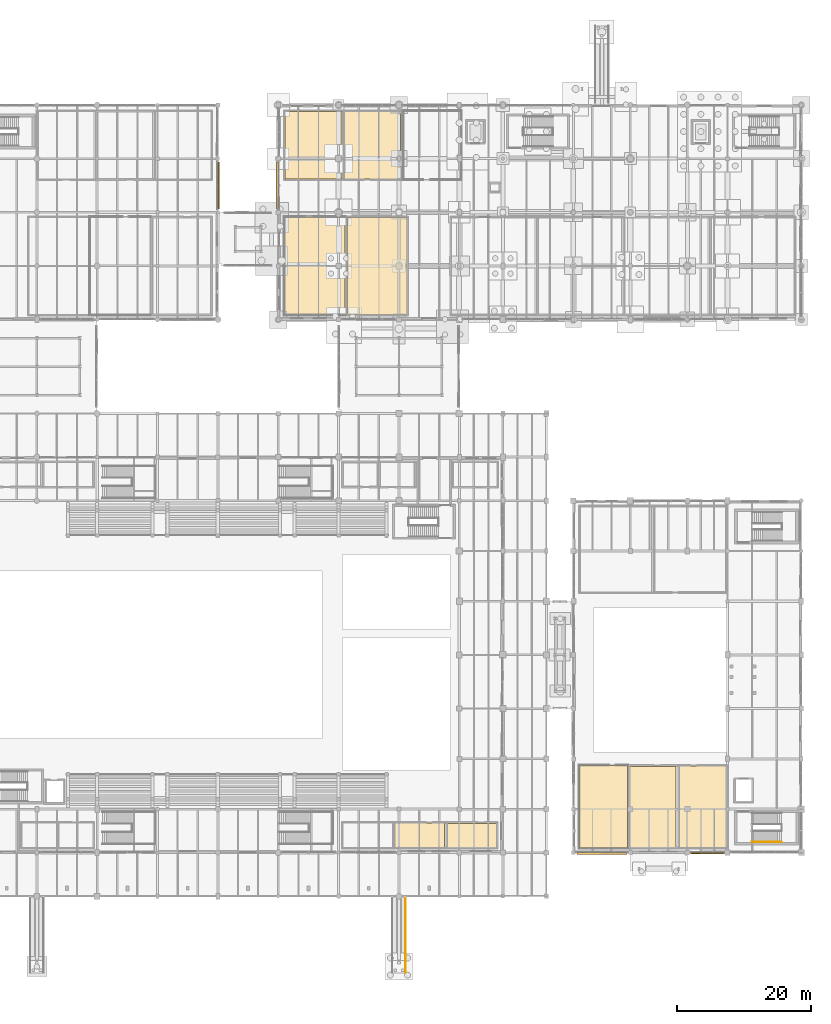
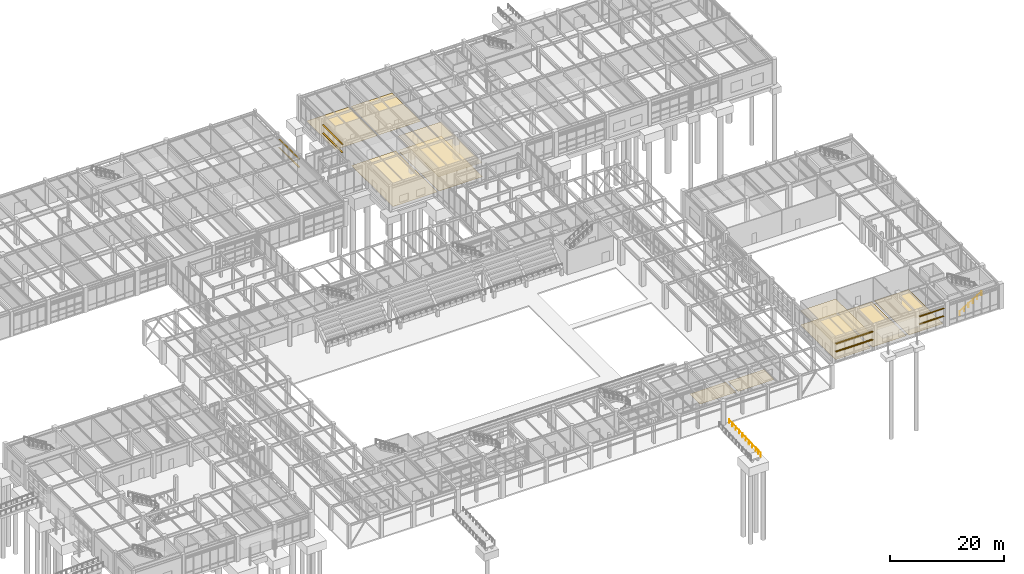
# One storey, part 199 of 203: 11 coverings, 8 shading devices, 2 railings.
"""IFC4 building model written with IfcOpenShell, lengths in metres."""

import ifcopenshell
import ifcopenshell.guid

model = None  # the IFC model being written
_history = None  # IfcOwnerHistory: only IFC2X3 demands one
_inside = {}  # id of a spatial element -> (the spatial element, [elements in it])
_under = {}  # id of a project, library or spatial element -> (it, [spatial elements below it])
_declared = {}  # id of a project -> (the project, [libraries it declares])
_typed = {}  # id of a type object -> (the type object, [elements of that type])
_made_of = {}  # id of a material, layer set ... -> (it, [elements and type objects made of it])


def new_model(schema):
    """Start an empty IFC model of exactly this schema.

    Asked for "IFC4X3", IfcOpenShell would pick the latest addendum, in which some entities
    have other attributes; the version numbers below select the first issue.
    IFC2X3 requires an IfcOwnerHistory on every rooted entity: one is made here for all.
    """
    global model, _history
    if schema == "IFC4X3":
        model = ifcopenshell.file(schema_version=(4, 3, 0, 0))
    else:
        model = ifcopenshell.file(schema=schema)
    _inside.clear()
    _under.clear()
    _declared.clear()
    _typed.clear()
    _made_of.clear()
    _history = None
    if model.schema == "IFC2X3":
        org = make("IfcOrganization", Name="unknown")
        user = make(
            "IfcPersonAndOrganization",
            ThePerson=make("IfcPerson", FamilyName="unknown"),
            TheOrganization=org,
        )
        app = make(
            "IfcApplication",
            ApplicationDeveloper=org,
            Version="unknown",
            ApplicationFullName="unknown",
            ApplicationIdentifier="unknown",
        )
        _history = make(
            "IfcOwnerHistory",
            OwningUser=user,
            OwningApplication=app,
            ChangeAction="ADDED",
            CreationDate=0,
        )
    return model


def make(cls, **values):
    """One entity of the class cls with the attributes given. An attribute that is None is left unset."""
    return model.create_entity(
        cls, **{name: value for name, value in values.items() if value is not None}
    )


def rooted(cls, **values):
    """An entity with a GlobalId (a new one), such as an element, a storey or a relation."""
    return make(cls, GlobalId=ifcopenshell.guid.new(), OwnerHistory=_history, **values)


def si_unit(unit_type, name, prefix=None):
    """IfcSIUnit, for example si_unit("LENGTHUNIT", "METRE", prefix="MILLI")."""
    return make("IfcSIUnit", UnitType=unit_type, Prefix=prefix, Name=name)


def assignment(units):
    """IfcUnitAssignment: the units of a project."""
    return None if units is None else make("IfcUnitAssignment", Units=units)


def point(xyz):
    """IfcCartesianPoint."""
    return None if xyz is None else make("IfcCartesianPoint", Coordinates=xyz)


def direction(xyz):
    """IfcDirection."""
    return None if xyz is None else make("IfcDirection", DirectionRatios=xyz)


def frame(location, z_axis=None, x_axis=None):
    """IfcAxis2Placement3D, a coordinate frame: its origin and axes. An axis left out is left unset."""
    return make(
        "IfcAxis2Placement3D",
        Location=point(location),
        Axis=direction(z_axis),
        RefDirection=direction(x_axis),
    )


def frame_2d(location, x_axis=None):
    """IfcAxis2Placement2D, a coordinate frame in the plane: its origin and x axis."""
    return make(
        "IfcAxis2Placement2D", Location=point(location), RefDirection=direction(x_axis)
    )


def origin():
    """The frame at (0, 0, 0) with its axes left unset."""
    return frame((0.0, 0.0, 0.0))


def origin_2d():
    """The frame at (0, 0) in the plane with its x axis left unset."""
    return frame_2d((0.0, 0.0))


def place(relative_to, where):
    """IfcLocalPlacement: puts the frame where relative to a parent placement (None: the world)."""
    return make(
        "IfcLocalPlacement", PlacementRelTo=relative_to, RelativePlacement=where
    )


def context(
    kind, dimensions, precision=None, world=None, true_north=None, identifier=None
):
    """IfcGeometricRepresentationContext, for example the 3D "Model" context."""
    return make(
        "IfcGeometricRepresentationContext",
        ContextIdentifier=identifier,
        ContextType=kind,
        CoordinateSpaceDimension=dimensions,
        Precision=precision,
        WorldCoordinateSystem=world,
        TrueNorth=true_north,
    )


def subcontext(parent, identifier, kind, view, scale=None):
    """IfcGeometricRepresentationSubContext, for example "Body" below "Model"."""
    return make(
        "IfcGeometricRepresentationSubContext",
        ContextIdentifier=identifier,
        ContextType=kind,
        ParentContext=parent,
        TargetScale=scale,
        TargetView=view,
    )


def project(units=None, contexts=None):
    """IfcProject with its units and contexts."""
    return rooted(
        "IfcProject",
        Name="project",
        RepresentationContexts=contexts,
        UnitsInContext=assignment(units),
    )


def spatial(cls, under=None, at=None, **own):
    """A site, building, storey or space (cls), placed at a placement, below another one or the project."""
    s = rooted(cls, ObjectPlacement=at, **own)
    if under is not None:
        _under.setdefault(under.id(), (under, []))[1].append(s)
    return s


def polyline(points):
    """IfcPolyline through the points."""
    return make("IfcPolyline", Points=[point(p) for p in points])


def profile(cls, at=None, kind="AREA", **sizes):
    """A parametric profile (cls). Its sizes go by their IFC names, for example OverallWidth=200.0."""
    return make(cls, ProfileType=kind, Position=at, **sizes)


def rectangle(**sizes):
    """IfcRectangleProfileDef."""
    return profile("IfcRectangleProfileDef", **sizes)


def circle(**sizes):
    """IfcCircleProfileDef."""
    return profile("IfcCircleProfileDef", **sizes)


def outline(outer, holes=None, kind="AREA"):
    """IfcArbitraryClosedProfileDef: a profile drawn as a closed curve; with holes, ...WithVoids."""
    if holes is None:
        return make("IfcArbitraryClosedProfileDef", ProfileType=kind, OuterCurve=outer)
    return make(
        "IfcArbitraryProfileDefWithVoids",
        ProfileType=kind,
        OuterCurve=outer,
        InnerCurves=holes,
    )


def extrude(swept, where, along, depth):
    """IfcExtrudedAreaSolid: the profile swept, set in the frame where, extruded along a direction by depth."""
    return make(
        "IfcExtrudedAreaSolid",
        SweptArea=swept,
        Position=where,
        ExtrudedDirection=direction(along),
        Depth=depth,
    )


def shape(context_of_items, identifier, shape_type, items):
    """IfcShapeRepresentation: the items that make up one representation, for example the "Body"."""
    return make(
        "IfcShapeRepresentation",
        ContextOfItems=context_of_items,
        RepresentationIdentifier=identifier,
        RepresentationType=shape_type,
        Items=items,
    )


def material(Name=None, Category=None):
    """IfcMaterial."""
    return make("IfcMaterial", Name=Name, Category=Category)


def layer(
    of_material, thickness, ventilated=None, Name=None, Category=None, Priority=None
):
    """IfcMaterialLayer: one layer of a wall or slab, of a material (None: an air gap)."""
    return make(
        "IfcMaterialLayer",
        Material=of_material,
        LayerThickness=thickness,
        IsVentilated=ventilated,
        Name=Name,
        Category=Category,
        Priority=Priority,
    )


def layer_set(layers, Name=None):
    """IfcMaterialLayerSet."""
    return make("IfcMaterialLayerSet", MaterialLayers=layers, LayerSetName=Name)


def made_of(thing, what):
    """Note that an element or type object is made of a material, layer set ...; save() writes the relation."""
    if what is not None:
        _made_of.setdefault(what.id(), (what, []))[1].append(thing)
    return thing


def type_object(cls, material=None, **own):
    """A type object (cls), such as IfcWallType, which elements share."""
    return made_of(rooted(cls, **own), material)


def element(
    cls,
    number,
    at=None,
    inside=None,
    cuts=None,
    type_object=None,
    material=None,
    context=None,
    identifier="Body",
    shape_type=None,
    held_by="IfcProductDefinitionShape",
    body=None,
    shapes=None,
    **own,
):
    """One element of the class cls, such as IfcWall. Its Tag is "e" and its number.

    at: its placement. inside: the storey or other place that contains it. cuts: it is an
    opening in that element (IfcRelVoidsElement). A single representation is given by context,
    identifier, shape_type and body (its items); several are given by shapes. held_by: the class
    of the entity that holds the representations. save() writes the other relations.
    """
    e = rooted(cls, Tag="e%d" % number, ObjectPlacement=at, **own)
    if body is not None:
        shapes = [shape(context, identifier, shape_type, body)]
    if shapes is not None:
        e.Representation = make(held_by, Representations=shapes)
    if inside is not None:
        _inside.setdefault(inside.id(), (inside, []))[1].append(e)
    if cuts is not None:
        rooted(
            "IfcRelVoidsElement", RelatingBuildingElement=cuts, RelatedOpeningElement=e
        )
    if type_object is not None:
        _typed.setdefault(type_object.id(), (type_object, []))[1].append(e)
    return made_of(e, material)


def aggregate(whole, parts):
    """IfcRelAggregates: a whole, such as a stair, and the parts it consists of."""
    return rooted("IfcRelAggregates", RelatingObject=whole, RelatedObjects=parts)


def save(model, path):
    """Write the relations noted so far, then the file.

    IfcRelAggregates (storeys below a building ...), IfcRelContainedInSpatialStructure (elements
    in a storey), IfcRelDefinesByType, IfcRelAssociatesMaterial and IfcRelDeclares: one each for
    every whole, place, type object, material and project.
    """
    for whole, parts in _under.values():
        aggregate(whole, parts)
    for where, things in _inside.values():
        rooted(
            "IfcRelContainedInSpatialStructure",
            RelatedElements=things,
            RelatingStructure=where,
        )
    for kind, things in _typed.values():
        rooted("IfcRelDefinesByType", RelatedObjects=things, RelatingType=kind)
    for what, things in _made_of.values():
        rooted("IfcRelAssociatesMaterial", RelatedObjects=things, RelatingMaterial=what)
    for by, libraries in _declared.values():
        rooted("IfcRelDeclares", RelatingContext=by, RelatedDefinitions=libraries)
    model.write(path)


model = new_model("IFC4")

# Units and contexts
model_context = context("Model", 3, precision=1e-05, world=origin(), true_north=direction((0.0, 1.0)))
body_context = subcontext(model_context, "Body", "Model", "MODEL_VIEW")
ifc_project = project(units=[si_unit("LENGTHUNIT", "METRE"), si_unit("AREAUNIT", "SQUARE_METRE"), si_unit("VOLUMEUNIT", "CUBIC_METRE"), si_unit("PLANEANGLEUNIT", "RADIAN"), si_unit("MASSUNIT", "GRAM", prefix="KILO"), si_unit("THERMODYNAMICTEMPERATUREUNIT", "KELVIN"), si_unit("POWERUNIT", "WATT")], contexts=[model_context])

# Site, building, storey
site_placement = place(None, origin())
site = spatial("IfcSite", under=ifc_project, at=site_placement, CompositionType="ELEMENT")
building_placement = place(site_placement, origin())
building = spatial("IfcBuilding", under=site, at=building_placement, Name="Tepalcoro Natatorium and Aquatics Centre", CompositionType="ELEMENT")
storey_placement = place(building_placement, origin())
storey = spatial("IfcBuildingStorey", under=building, at=storey_placement, Name="L00", CompositionType="ELEMENT", Elevation=0.0)

# Coverings
ifc_material_1 = material(Name="Perforated Corrosion-Resistant Acoustic Aluminium Baffle Ceiling", Category="aluminium")
ifc_layer_1 = layer(ifc_material_1, 0.044921875)
ifc_layer_set_1 = layer_set([ifc_layer_1], Name="Perforated Corrosion-Resistant Acoustic Aluminium Baffle Ceiling")
covering_type_1 = type_object("IfcCoveringType", Name="CL_BAFFLE_120", PredefinedType="CEILING", material=ifc_layer_set_1)
covering_1_placement = place(storey_placement, frame((0.0, 0.0, 3.050048828125)))
element("IfcCovering", 1, at=covering_1_placement, inside=storey, type_object=covering_type_1, Name="Commercial Catering Kitchen & Cold Larder Suspended Ceiling", PredefinedType="CEILING", context=body_context, shape_type="SweptSolid", body=[
    extrude(outline(polyline([(108.3349609375, 86.794921875), (108.3349609375, 101.205078125), (117.1650390625, 101.205078125), (117.1650390625, 86.794921875), (108.3349609375, 86.794921875)])), origin(), (0.0, 0.0, 1.0), 0.044921875),
])
ifc_layer_2 = layer(ifc_material_1, 0.0400390625)
ifc_layer_set_2 = layer_set([ifc_layer_2], Name="Perforated Corrosion-Resistant Acoustic Aluminium Baffle Ceiling")
covering_type_2 = type_object("IfcCoveringType", Name="CL_PERF_AL_40", PredefinedType="CEILING", material=ifc_layer_set_2)
covering_2_placement = place(storey_placement, frame((0.0, 0.0, 3.050048828125)))
element("IfcCovering", 2, at=covering_2_placement, inside=storey, type_object=covering_type_2, Name="Divers Dryland Warm-Up & Trampoline Spotting Gym Suspended Ceiling", PredefinedType="CEILING", context=body_context, shape_type="SweptSolid", body=[
    extrude(outline(polyline([(142.929931640625, 7.18994140625), (142.929931640625, 19.510009765625), (150.070068359375, 19.510009765625), (150.070068359375, 7.18994140625), (142.929931640625, 7.18994140625)])), origin(), (0.0, 0.0, 1.0), 0.0400390625),
])
ifc_material_2 = material(Name="Shock-Absorbing Vulcanised Athletic Rubber Flooring")
ifc_layer_3 = layer(ifc_material_2, 0.010009765625)
ifc_layer_set_3 = layer_set([ifc_layer_3], Name="Shock-Absorbing Vulcanised Athletic Rubber Flooring")
covering_type_3 = type_object("IfcCoveringType", Name="FL_CARPET_10", PredefinedType="FLOORING", material=ifc_layer_set_3)
covering_3_placement = place(storey_placement, origin())
element("IfcCovering", 3, at=covering_3_placement, inside=storey, type_object=covering_type_3, Name="Poolside Athlete Male & Female WC Floor Finish", PredefinedType="FLOORING", context=body_context, shape_type="SweptSolid", body=[
    extrude(outline(polyline([(115.429931640625, 7.2900390625), (115.429931640625, 10.909912109375), (122.77001953125, 10.909912109375), (122.77001953125, 7.2900390625), (115.429931640625, 7.2900390625)])), origin(), (0.0, 0.0, 1.0), 0.010009765625),
])
covering_4_placement = place(storey_placement, origin())
element("IfcCovering", 4, at=covering_4_placement, inside=storey, type_object=covering_type_3, Name="Family & Infant Swim Wet Changing Suite Floor Finish", PredefinedType="FLOORING", context=body_context, shape_type="SweptSolid", body=[
    extrude(outline(polyline([(98.97998046875, 106.93994140625), (98.97998046875, 117.06005859375), (107.487060546875, 117.06005859375), (107.487060546875, 106.93994140625), (98.97998046875, 106.93994140625)])), origin(), (0.0, 0.0, 1.0), 0.010009765625),
])
ifc_material_3 = material(Name="Slip-Resistant Porcelain Aquatic Deck Tile")
ifc_layer_4 = layer(ifc_material_3, 0.02197265625)
ifc_layer_set_4 = layer_set([ifc_layer_4], Name="Slip-Resistant Porcelain Aquatic Deck Tile")
covering_type_4 = type_object("IfcCoveringType", Name="FL_DECK_TILE_22", PredefinedType="FLOORING", material=ifc_layer_set_4)
covering_5_placement = place(storey_placement, origin())
element("IfcCovering", 5, at=covering_5_placement, inside=storey, type_object=covering_type_4, Name="Diving Pavilion Accessible WC & Changing Floor Finish", PredefinedType="FLOORING", context=body_context, shape_type="SweptSolid", body=[
    extrude(outline(polyline([(157.830078125, 7.2900390625), (157.830078125, 19.409912109375), (164.77001953125, 19.409912109375), (164.77001953125, 7.2900390625), (157.830078125, 7.2900390625)])), origin(), (0.0, 0.0, 1.0), 0.02197265625),
])
ifc_layer_5 = layer(ifc_material_2, 0.011962890625)
ifc_layer_set_5 = layer_set([ifc_layer_5], Name="Shock-Absorbing Vulcanised Athletic Rubber Flooring")
covering_type_5 = type_object("IfcCoveringType", Name="FL_RUBBER_12", PredefinedType="FLOORING", material=ifc_layer_set_5)
covering_6_placement = place(storey_placement, origin())
element("IfcCovering", 6, at=covering_6_placement, inside=storey, type_object=covering_type_5, Name="Poolside Accessible WC & Shower Floor Finish", PredefinedType="FLOORING", context=body_context, shape_type="SweptSolid", body=[
    extrude(outline(polyline([(123.25, 7.31005859375), (123.25, 10.889892578125), (130.550048828125, 10.889892578125), (130.550048828125, 7.31005859375), (123.25, 7.31005859375)])), origin(), (0.0, 0.0, 1.0), 0.011962890625),
])
covering_7_placement = place(storey_placement, origin())
element("IfcCovering", 7, at=covering_7_placement, inside=storey, type_object=covering_type_5, Name="Divers Dryland Warm-Up & Trampoline Spotting Gym Floor Finish", PredefinedType="FLOORING", context=body_context, shape_type="SweptSolid", body=[
    extrude(outline(polyline([(142.929931640625, 7.18994140625), (142.929931640625, 19.510009765625), (150.070068359375, 19.510009765625), (150.070068359375, 7.18994140625), (142.929931640625, 7.18994140625)])), origin(), (0.0, 0.0, 1.0), 0.011962890625),
])
covering_8_placement = place(storey_placement, origin())
element("IfcCovering", 8, at=covering_8_placement, inside=storey, type_object=covering_type_5, Name="Garden Courtyard Cafe & Espresso Terrace Lounge Floor Finish", PredefinedType="FLOORING", context=body_context, shape_type="SweptSolid", body=[
    extrude(outline(polyline([(98.955078125, 86.715087890625), (98.955078125, 101.284912109375), (107.945068359375, 101.284912109375), (107.945068359375, 86.715087890625), (98.955078125, 86.715087890625)])), origin(), (0.0, 0.0, 1.0), 0.011962890625),
])
covering_9_placement = place(storey_placement, origin())
element("IfcCovering", 9, at=covering_9_placement, inside=storey, type_object=covering_type_5, Name="Family Accessible Baby-Change & Shower WC Floor Finish", PredefinedType="FLOORING", context=body_context, shape_type="SweptSolid", body=[
    extrude(outline(polyline([(107.89697265625, 106.989990234375), (107.89697265625, 117.010009765625), (116.302978515625, 117.010009765625), (116.302978515625, 106.989990234375), (107.89697265625, 106.989990234375)])), origin(), (0.0, 0.0, 1.0), 0.011962890625),
])
ifc_layer_6 = layer(ifc_material_3, 0.01806640625)
ifc_layer_set_6 = layer_set([ifc_layer_6], Name="Slip-Resistant Porcelain Aquatic Deck Tile")
covering_type_6 = type_object("IfcCoveringType", Name="FL_TILE_18", PredefinedType="FLOORING", material=ifc_layer_set_6)
covering_10_placement = place(storey_placement, origin())
element("IfcCovering", 10, at=covering_10_placement, inside=storey, type_object=covering_type_6, Name="Divers Hot-Tub & Thermal Muscle Recovery Pool Room Floor Finish", PredefinedType="FLOORING", context=body_context, shape_type="SweptSolid", body=[
    extrude(outline(polyline([(150.449951171875, 7.31005859375), (150.449951171875, 19.389892578125), (157.35009765625, 19.389892578125), (157.35009765625, 7.31005859375), (150.449951171875, 7.31005859375)])), origin(), (0.0, 0.0, 1.0), 0.01806640625),
])
covering_11_placement = place(storey_placement, origin())
element("IfcCovering", 11, at=covering_11_placement, inside=storey, type_object=covering_type_6, Name="Commercial Catering Kitchen & Cold Larder Floor Finish", PredefinedType="FLOORING", context=body_context, shape_type="SweptSolid", body=[
    extrude(outline(polyline([(108.3349609375, 86.794921875), (108.3349609375, 101.205078125), (117.1650390625, 101.205078125), (117.1650390625, 86.794921875), (108.3349609375, 86.794921875)])), origin(), (0.0, 0.0, 1.0), 0.01806640625),
])

# Railings
ifc_material_4 = material(Name="Bronze-Anodised Extruded Aluminium Alloy EN AW-6063 T6", Category="aluminium")
railing_type = type_object("IfcRailingType", Name="RL_HAND_900_BRZ", PredefinedType="HANDRAIL", material=ifc_material_4)
railing_1_placement = place(storey_placement, frame((168.64990234375, 8.080078125, 0.0)))
element("IfcRailing", 12, at=railing_1_placement, inside=storey, type_object=railing_type, Name="ST03-L00 Wall Handrail F1", PredefinedType="HANDRAIL", context=body_context, shape_type="SweptSolid", body=[
    extrude(circle(Radius=0.02392578125, at=origin_2d()), frame((0.0, 0.0, 0.8759765625), z_axis=(0.853646024003, 0.0, 0.520853593349), x_axis=(0.0, 1.0, 0.0)), (0.0, 0.0, 1.0), 5.18359375),
    extrude(circle(Radius=0.02099609375, at=origin_2d()), origin(), (0.0, 0.0, 1.0), 0.851806640625),
    extrude(circle(Radius=0.02099609375, at=origin_2d()), frame((0.885009765625, 0.0, 0.5400390625)), (0.0, 0.0, 1.0), 0.851806640625),
    extrude(circle(Radius=0.02099609375, at=origin_2d()), frame((1.77001953125, 0.0, 1.080078125)), (0.0, 0.0, 1.0), 0.851806640625),
    extrude(circle(Radius=0.02099609375, at=origin_2d()), frame((2.655029296875, 0.0, 1.619873046875)), (0.0, 0.0, 1.0), 0.851806640625),
    extrude(circle(Radius=0.02099609375, at=origin_2d()), frame((3.5400390625, 0.0, 2.159912109375)), (0.0, 0.0, 1.0), 0.851806640625),
    extrude(circle(Radius=0.02099609375, at=origin_2d()), frame((4.425048828125, 0.0, 2.699951171875)), (0.0, 0.0, 1.0), 0.851806640625),
])
railing_2_placement = place(storey_placement, frame((116.989990234375, -11.39990234375, -0.47998046875)))
element("IfcRailing", 13, at=railing_2_placement, inside=storey, type_object=railing_type, Name="RMP04 Accessible Ramp Handrail L", PredefinedType="HANDRAIL", context=body_context, shape_type="SweptSolid", body=[
    extrude(circle(Radius=0.02392578125, at=origin_2d()), frame((0.0, 0.0, 0.8759765625), z_axis=(0.0, 1.0, 0.0), x_axis=(-1.0, 0.0, 0.0)), (0.0, 0.0, 1.0), 1.7998046875),
    extrude(circle(Radius=0.02392578125, at=origin_2d()), frame((0.0, 1.7998046875, 0.8759765625), z_axis=(0.0, 0.998662223161, 0.051708452218), x_axis=(-1.0, 0.0, 0.0)), (0.0, 0.0, 1.0), 9.282470703125),
    extrude(circle(Radius=0.02099609375, at=origin_2d()), origin(), (0.0, 0.0, 1.0), 0.851806640625),
    extrude(circle(Radius=0.02099609375, at=origin_2d()), frame((0.0, 0.89990234375, 0.0)), (0.0, 0.0, 1.0), 0.851806640625),
    extrude(circle(Radius=0.02099609375, at=origin_2d()), frame((0.0, 1.7998046875, 0.0)), (0.0, 0.0, 1.0), 0.851806640625),
    extrude(circle(Radius=0.02099609375, at=origin_2d()), frame((0.0, 2.95849609375, 0.06005859375)), (0.0, 0.0, 1.0), 0.851806640625),
    extrude(circle(Radius=0.02099609375, at=origin_2d()), frame((0.0, 4.1171875, 0.1201171875)), (0.0, 0.0, 1.0), 0.851806640625),
    extrude(circle(Radius=0.02099609375, at=origin_2d()), frame((0.0, 5.276123046875, 0.179931640625)), (0.0, 0.0, 1.0), 0.851806640625),
    extrude(circle(Radius=0.02099609375, at=origin_2d()), frame((0.0, 6.434814453125, 0.239990234375)), (0.0, 0.0, 1.0), 0.851806640625),
    extrude(circle(Radius=0.02099609375, at=origin_2d()), frame((0.0, 7.593505859375, 0.300048828125)), (0.0, 0.0, 1.0), 0.851806640625),
    extrude(circle(Radius=0.02099609375, at=origin_2d()), frame((0.0, 8.75244140625, 0.35986328125)), (0.0, 0.0, 1.0), 0.851806640625),
    extrude(circle(Radius=0.02099609375, at=origin_2d()), frame((0.0, 9.9111328125, 0.419921875)), (0.0, 0.0, 1.0), 0.851806640625),
    extrude(circle(Radius=0.02099609375, at=origin_2d()), frame((0.0, 11.06982421875, 0.47998046875)), (0.0, 0.0, 1.0), 0.851806640625),
])

# Shading devices
shading_device_type_1 = type_object("IfcShadingDeviceType", Name="SHD_FIN_BRONZE", PredefinedType="SHUTTER", material=ifc_material_4)
for number, where, z_axis, x_axis, name in (
    (14, (146.25, 6.4111328125, 2.327392578125), (0.0, 0.0, 1.0), (1.0, 0.0, 0.0), "Solar Shading Brise-Soleil SHD_FIN_BRONZE"),
    (15, (146.25, 6.4111328125, 4.06005859375), (0.0, 0.0, 1.0), (1.0, 0.0, 0.0), "Solar Shading Brise-Soleil SHD_FIN_BRONZE"),
):
    element("IfcShadingDevice", number, at=place(storey_placement, frame(where, z_axis=z_axis, x_axis=x_axis)), inside=storey, type_object=shading_device_type_1, Name=name, PredefinedType="SHUTTER", context=body_context, shape_type="SweptSolid", body=[
        extrude(rectangle(XDim=7.4599609375, YDim=0.300048828125, at=origin_2d()), origin(), (0.0, 0.0, 1.0), 0.080078125),
    ])
for number, where, z_axis, x_axis, name in (
    (16, (97.90625, 106.0, 2.3486328125), (0.0, 0.0, 1.0), (1.0, 0.0, 0.0), "Solar Shading Brise-Soleil SHD_FIN_BRONZE"),
    (17, (97.90625, 106.0, 4.10693359375), (0.0, 0.0, 1.0), (1.0, 0.0, 0.0), "Solar Shading Brise-Soleil SHD_FIN_BRONZE"),
):
    element("IfcShadingDevice", number, at=place(storey_placement, frame(where, z_axis=z_axis, x_axis=x_axis)), inside=storey, type_object=shading_device_type_1, Name=name, PredefinedType="SHUTTER", context=body_context, shape_type="SweptSolid", body=[
        extrude(rectangle(XDim=0.300048828125, YDim=6.9599609375, at=origin_2d()), origin(), (0.0, 0.0, 1.0), 0.080078125),
    ])
shading_device_type_2 = type_object("IfcShadingDeviceType", Name="SHD_LOUVRE_AL", PredefinedType="JALOUSIE", material=ifc_material_4)
for number, where, z_axis, x_axis, name in (
    (18, (162.0, 6.441162109375, 2.259033203125), (0.0, 0.0, 1.0), (1.0, 0.0, 0.0), "Solar Shading Brise-Soleil SHD_LOUVRE_AL"),
    (19, (162.0, 6.441162109375, 3.907958984375), (0.0, 0.0, 1.0), (1.0, 0.0, 0.0), "Solar Shading Brise-Soleil SHD_LOUVRE_AL"),
):
    element("IfcShadingDevice", number, at=place(storey_placement, frame(where, z_axis=z_axis, x_axis=x_axis)), inside=storey, type_object=shading_device_type_2, Name=name, PredefinedType="JALOUSIE", context=body_context, shape_type="SweptSolid", body=[
        extrude(rectangle(XDim=4.9599609375, YDim=0.239990234375, at=origin_2d()), origin(), (0.0, 0.0, 1.0), 0.080078125),
    ])
for number, where, z_axis, x_axis, name in (
    (20, (89.063720703125, 106.0, 2.33642578125), (0.0, 0.0, 1.0), (1.0, 0.0, 0.0), "Solar Shading Brise-Soleil SHD_LOUVRE_AL"),
    (21, (89.063720703125, 106.0, 4.080078125), (0.0, 0.0, 1.0), (1.0, 0.0, 0.0), "Solar Shading Brise-Soleil SHD_LOUVRE_AL"),
):
    element("IfcShadingDevice", number, at=place(storey_placement, frame(where, z_axis=z_axis, x_axis=x_axis)), inside=storey, type_object=shading_device_type_2, Name=name, PredefinedType="JALOUSIE", context=body_context, shape_type="SweptSolid", body=[
        extrude(rectangle(XDim=0.239990234375, YDim=6.9599609375, at=origin_2d()), origin(), (0.0, 0.0, 1.0), 0.080078125),
    ])

save(model, "model.ifc")
